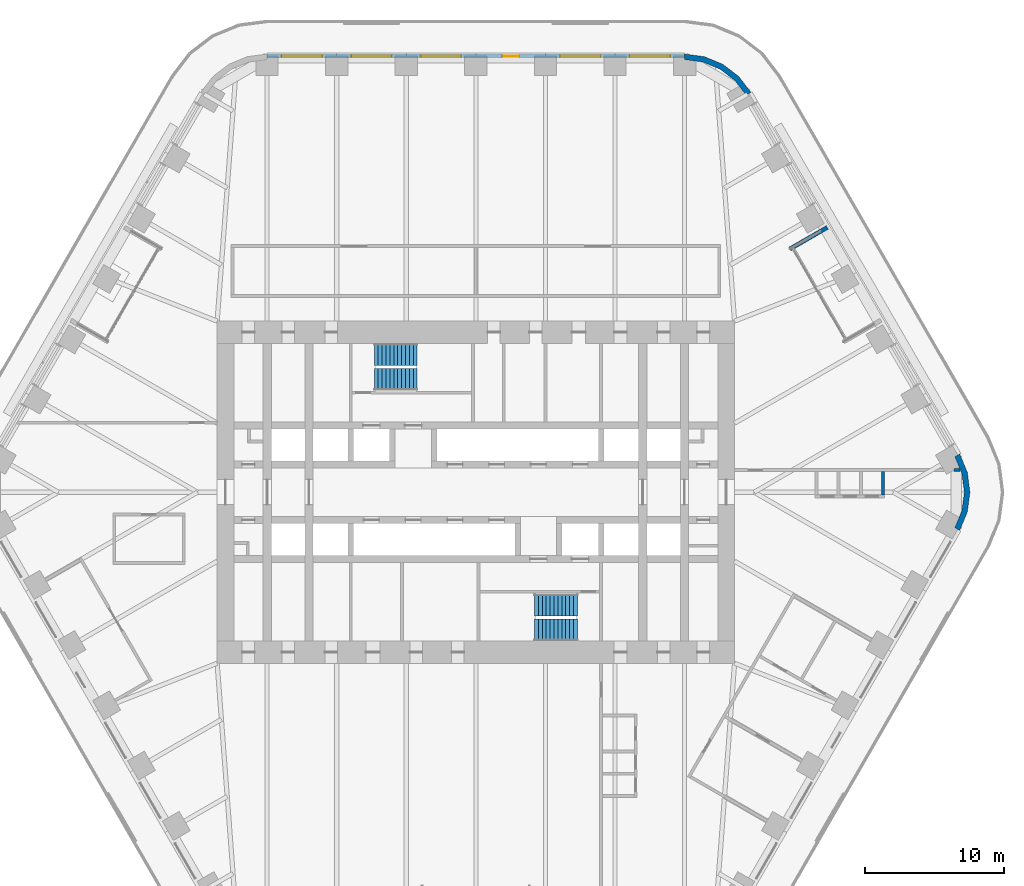
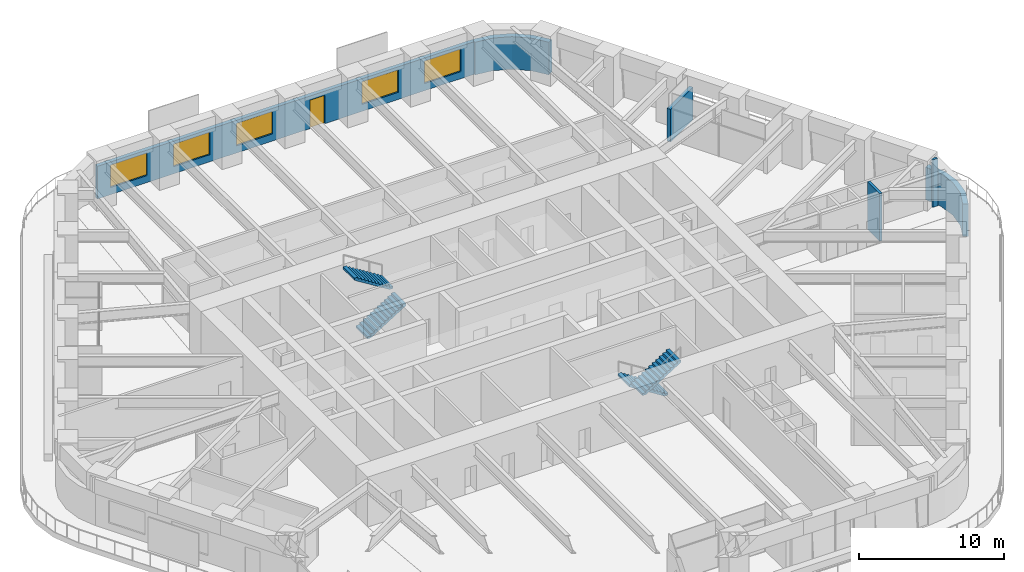
# One storey, part 21 of 24: 6 walls, 5 windows, 4 stair flights, 1 door, 6 openings, 2 elements without a shape of their own.
"""IFC4 building model written with IfcOpenShell, lengths in metres."""

from ifc_helpers import new_model, si_unit, direction, frame, frame_2d, origin, place, context, subcontext, project, spatial, polyline, rectangle, outline, extrude, material, layer, layer_set, type_object, element, fill, aggregate, save


model = new_model("IFC4")

# Units and contexts
model_context = context("Model", 3, precision=1e-05, world=origin(), true_north=direction((0.0, 1.0)))
body_context = subcontext(model_context, "Body", "Model", "MODEL_VIEW")
ifc_project = project(units=[si_unit("LENGTHUNIT", "METRE"), si_unit("AREAUNIT", "SQUARE_METRE"), si_unit("VOLUMEUNIT", "CUBIC_METRE"), si_unit("PLANEANGLEUNIT", "RADIAN"), si_unit("MASSUNIT", "GRAM", prefix="KILO")], contexts=[model_context])

# Site, building, storey
site_placement = place(None, origin())
site = spatial("IfcSite", under=ifc_project, at=site_placement, CompositionType="ELEMENT")
building_placement = place(site_placement, origin())
building = spatial("IfcBuilding", under=site, at=building_placement, Name="Tarfa Lantern Tower", CompositionType="ELEMENT")
storey_placement = place(building_placement, frame((0.0, 0.0, 169.89990234375)))
storey = spatial("IfcBuildingStorey", under=building, at=storey_placement, Name="L38", CompositionType="ELEMENT", Elevation=169.89990234375)

# Wall
ifc_material_1 = material(Name="Limestone cladding on blockwork", Category="masonry")
ifc_layer_1 = layer(ifc_material_1, 0.300048828125)
ifc_layer_set_1 = layer_set([ifc_layer_1], Name="EW1 STONE-CLAD WALL 300")
wall_type_1 = type_object("IfcWallType", Name="EW1 STONE-CLAD WALL 300", PredefinedType="SOLIDWALL", material=ifc_layer_set_1)
wall_1_placement = place(storey_placement, frame((25.266357421875, 19.037353515625, 0.0), z_axis=(0.0, 0.0, 1.0), x_axis=(-0.86600983753, -0.500026960575, 0.0)))
element("IfcWall", 1, at=wall_1_placement, inside=storey, type_object=wall_type_1, Name="Loggia return NE 2", PredefinedType="SOLIDWALL", context=body_context, shape_type="SweptSolid", body=[
    extrude(rectangle(XDim=3.099853515625, YDim=0.300048828125, at=frame_2d((1.5498046875, 0.0))), origin(), (0.0, 0.0, 1.0), 2.75),
])

# Wall, openings, door, windows
wall_2_placement = place(storey_placement, frame((15.010986328125, 31.35009765625, 0.0), z_axis=(0.0, 0.0, 1.0), x_axis=(-1.0, 0.0, 0.0)))
wall_2 = element("IfcWall", 2, at=wall_2_placement, inside=storey, type_object=wall_type_1, Name="Stone wall N", PredefinedType="SOLIDWALL", context=body_context, shape_type="SweptSolid", body=[
    extrude(rectangle(XDim=30.02197265625, YDim=0.300048828125, at=frame_2d((15.010986328125, 0.0))), origin(), (0.0, 0.0, 1.0), 2.75),
])
opening_1_placement = place(wall_2_placement, frame((1.0517578125, 0.0, 0.60009765625)))
opening_1 = element("IfcOpeningElement", 3, at=opening_1_placement, cuts=wall_2, Name="Opening W9", PredefinedType="OPENING", context=body_context, shape_type="SweptSolid", body=[
    extrude(rectangle(XDim=2.89990234375, YDim=1.89990234375, at=frame_2d((1.449951171875, 0.949951171875))), frame((0.0, 0.159912109375, 0.0), z_axis=(0.0, -1.0, 0.0), x_axis=(1.0, 0.0, 0.0)), (0.0, 0.0, 1.0), 0.320068359375),
])
opening_2_placement = place(wall_2_placement, frame((6.0556640625, 0.0, 0.60009765625)))
opening_2 = element("IfcOpeningElement", 4, at=opening_2_placement, cuts=wall_2, Name="Opening W9", PredefinedType="OPENING", context=body_context, shape_type="SweptSolid", body=[
    extrude(rectangle(XDim=2.89990234375, YDim=1.89990234375, at=frame_2d((1.449951171875, 0.949951171875))), frame((0.0, 0.159912109375, 0.0), z_axis=(0.0, -1.0, 0.0), x_axis=(1.0, 0.0, 0.0)), (0.0, 0.0, 1.0), 0.320068359375),
])
opening_3_placement = place(wall_2_placement, frame((11.9091796875, 0.0, 0.0)))
opening_3 = element("IfcOpeningElement", 5, at=opening_3_placement, cuts=wall_2, Name="Opening D50", PredefinedType="OPENING", context=body_context, shape_type="SweptSolid", body=[
    extrude(rectangle(XDim=1.199951171875, YDim=2.39990234375, at=frame_2d((0.60009765625, 1.199951171875))), frame((0.0, 0.159912109375, 0.0), z_axis=(0.0, -1.0, 0.0), x_axis=(1.0, 0.0, 0.0)), (0.0, 0.0, 1.0), 0.320068359375),
])
opening_4_placement = place(wall_2_placement, frame((16.06298828125, 0.0, 0.60009765625)))
opening_4 = element("IfcOpeningElement", 6, at=opening_4_placement, cuts=wall_2, Name="Opening W9", PredefinedType="OPENING", context=body_context, shape_type="SweptSolid", body=[
    extrude(rectangle(XDim=2.89990234375, YDim=1.89990234375, at=frame_2d((1.449951171875, 0.949951171875))), frame((0.0, 0.159912109375, 0.0), z_axis=(0.0, -1.0, 0.0), x_axis=(1.0, 0.0, 0.0)), (0.0, 0.0, 1.0), 0.320068359375),
])
opening_5_placement = place(wall_2_placement, frame((21.066650390625, 0.0, 0.60009765625)))
opening_5 = element("IfcOpeningElement", 7, at=opening_5_placement, cuts=wall_2, Name="Opening W9", PredefinedType="OPENING", context=body_context, shape_type="SweptSolid", body=[
    extrude(rectangle(XDim=2.89990234375, YDim=1.89990234375, at=frame_2d((1.449951171875, 0.949951171875))), frame((0.0, 0.159912109375, 0.0), z_axis=(0.0, -1.0, 0.0), x_axis=(1.0, 0.0, 0.0)), (0.0, 0.0, 1.0), 0.320068359375),
])
opening_6_placement = place(wall_2_placement, frame((26.0703125, 0.0, 0.60009765625)))
opening_6 = element("IfcOpeningElement", 8, at=opening_6_placement, cuts=wall_2, Name="Opening W9", PredefinedType="OPENING", context=body_context, shape_type="SweptSolid", body=[
    extrude(rectangle(XDim=2.89990234375, YDim=1.89990234375, at=frame_2d((1.449951171875, 0.949951171875))), frame((0.0, 0.159912109375, 0.0), z_axis=(0.0, -1.0, 0.0), x_axis=(1.0, 0.0, 0.0)), (0.0, 0.0, 1.0), 0.320068359375),
])
ifc_material_2 = material(Name="Aluminium framed glazed door", Category="aluminium")
door_type = type_object("IfcDoorType", Name="BE3 BALCONY DOOR 1200x2400", OperationType="SINGLE_SWING_RIGHT", PredefinedType="DOOR", material=ifc_material_2)
door_placement = place(opening_3_placement, origin())
door = element("IfcDoor", 9, at=door_placement, inside=storey, type_object=door_type, Name="Balcony door N", OperationType="SINGLE_SWING_RIGHT", OverallHeight=2.39990234375, OverallWidth=1.199951171875, PredefinedType="DOOR", context=body_context, shape_type="SweptSolid", body=[
    extrude(rectangle(XDim=1.199951171875, YDim=2.39990234375, at=frame_2d((0.60009765625, 1.199951171875))), frame((0.0, 0.02490234375, 0.0), z_axis=(0.0, -1.0, 0.0), x_axis=(1.0, 0.0, 0.0)), (0.0, 0.0, 1.0), 0.050048828125),
])
fill(opening_3, door)
ifc_material_3 = material(Name="Aluminium frame, double glazed", Category="aluminium")
window_type = type_object("IfcWindowType", Name="W9 FULL-HEIGHT GLAZING 2900x1900", PartitioningType="SINGLE_PANEL", PredefinedType="WINDOW", material=ifc_material_3)
window_1_placement = place(opening_1_placement, origin())
window_1 = element("IfcWindow", 10, at=window_1_placement, inside=storey, type_object=window_type, Name="Window N 1", OverallHeight=1.89990234375, OverallWidth=2.89990234375, PartitioningType="SINGLE_PANEL", PredefinedType="WINDOW", context=body_context, shape_type="SweptSolid", body=[
    extrude(rectangle(XDim=2.89990234375, YDim=1.89990234375, at=frame_2d((1.449951171875, 0.949951171875))), frame((0.0, 0.030029296875, 0.0), z_axis=(0.0, -1.0, 0.0), x_axis=(1.0, 0.0, 0.0)), (0.0, 0.0, 1.0), 0.06005859375),
])
fill(opening_1, window_1)
window_2_placement = place(opening_2_placement, origin())
window_2 = element("IfcWindow", 11, at=window_2_placement, inside=storey, type_object=window_type, Name="Window N 2", OverallHeight=1.89990234375, OverallWidth=2.89990234375, PartitioningType="SINGLE_PANEL", PredefinedType="WINDOW", context=body_context, shape_type="SweptSolid", body=[
    extrude(rectangle(XDim=2.89990234375, YDim=1.89990234375, at=frame_2d((1.449951171875, 0.949951171875))), frame((0.0, 0.030029296875, 0.0), z_axis=(0.0, -1.0, 0.0), x_axis=(1.0, 0.0, 0.0)), (0.0, 0.0, 1.0), 0.06005859375),
])
fill(opening_2, window_2)
window_3_placement = place(opening_4_placement, origin())
window_3 = element("IfcWindow", 12, at=window_3_placement, inside=storey, type_object=window_type, Name="Window N 4", OverallHeight=1.89990234375, OverallWidth=2.89990234375, PartitioningType="SINGLE_PANEL", PredefinedType="WINDOW", context=body_context, shape_type="SweptSolid", body=[
    extrude(rectangle(XDim=2.89990234375, YDim=1.89990234375, at=frame_2d((1.449951171875, 0.949951171875))), frame((0.0, 0.030029296875, 0.0), z_axis=(0.0, -1.0, 0.0), x_axis=(1.0, 0.0, 0.0)), (0.0, 0.0, 1.0), 0.06005859375),
])
fill(opening_4, window_3)
window_4_placement = place(opening_5_placement, origin())
window_4 = element("IfcWindow", 13, at=window_4_placement, inside=storey, type_object=window_type, Name="Window N 5", OverallHeight=1.89990234375, OverallWidth=2.89990234375, PartitioningType="SINGLE_PANEL", PredefinedType="WINDOW", context=body_context, shape_type="SweptSolid", body=[
    extrude(rectangle(XDim=2.89990234375, YDim=1.89990234375, at=frame_2d((1.449951171875, 0.949951171875))), frame((0.0, 0.030029296875, 0.0), z_axis=(0.0, -1.0, 0.0), x_axis=(1.0, 0.0, 0.0)), (0.0, 0.0, 1.0), 0.06005859375),
])
fill(opening_5, window_4)
window_5_placement = place(opening_6_placement, origin())
window_5 = element("IfcWindow", 14, at=window_5_placement, inside=storey, type_object=window_type, Name="Window N 6", OverallHeight=1.89990234375, OverallWidth=2.89990234375, PartitioningType="SINGLE_PANEL", PredefinedType="WINDOW", context=body_context, shape_type="SweptSolid", body=[
    extrude(rectangle(XDim=2.89990234375, YDim=1.89990234375, at=frame_2d((1.449951171875, 0.949951171875))), frame((0.0, 0.030029296875, 0.0), z_axis=(0.0, -1.0, 0.0), x_axis=(1.0, 0.0, 0.0)), (0.0, 0.0, 1.0), 0.06005859375),
])
fill(opening_6, window_5)

# Walls
ifc_layer_2 = layer(ifc_material_1, 0.39990234375)
ifc_layer_set_2 = layer_set([ifc_layer_2], Name="EW2 CURVED STONE CORNER 400")
wall_type_2 = type_object("IfcWallType", Name="EW2 CURVED STONE CORNER 400", PredefinedType="SOLIDWALL", material=ifc_layer_set_2)
wall_3_placement = place(storey_placement, origin())
element("IfcWall", 15, at=wall_3_placement, inside=storey, type_object=wall_type_2, Name="Stone corner NE-N", PredefinedType="SOLIDWALL", context=body_context, shape_type="SweptSolid", body=[
    extrude(outline(polyline([(19.774169921875, 28.75), (18.900146484375, 29.88916015625), (17.760986328125, 30.76318359375), (16.4345703125, 31.3125), (15.010986328125, 31.5), (15.010986328125, 31.10009765625), (16.3310546875, 30.92626953125), (17.56103515625, 30.416748046875), (18.617431640625, 29.606201171875), (19.427734375, 28.550048828125), (19.774169921875, 28.75)])), origin(), (0.0, 0.0, 1.0), 2.75),
])
wall_4_placement = place(storey_placement, origin())
element("IfcWall", 16, at=wall_4_placement, inside=storey, type_object=wall_type_2, Name="Stone corner SE-NE", PredefinedType="SOLIDWALL", context=body_context, shape_type="SweptSolid", body=[
    extrude(outline(polyline([(34.785400390625, -2.75), (35.334716796875, -1.423583984375), (35.522216796875, 0.0), (35.334716796875, 1.423583984375), (34.785400390625, 2.75), (34.43896484375, 2.550048828125), (34.948486328125, 1.320068359375), (35.122314453125, 0.0), (34.948486328125, -1.320068359375), (34.43896484375, -2.550048828125), (34.785400390625, -2.75)])), origin(), (0.0, 0.0, 1.0), 2.75),
])
ifc_material_4 = material(Name="Gypsum board on steel studs", Category="steel")
ifc_layer_3 = layer(ifc_material_4, 0.2099609375)
ifc_layer_set_3 = layer_set([ifc_layer_3], Name="IW2 ACOUSTIC PARTITION 200")
wall_type_3 = type_object("IfcWallType", Name="IW2 ACOUSTIC PARTITION 200", PredefinedType="PARTITIONING", material=ifc_layer_set_3)
wall_5_placement = place(storey_placement, frame((34.3935546875, 1.60009765625, 0.0), z_axis=(0.0, 0.0, 1.0), x_axis=(1.0, 0.0, 0.0)))
element("IfcWall", 17, at=wall_5_placement, inside=storey, type_object=wall_type_3, Name="Partition", PredefinedType="PARTITIONING", context=body_context, shape_type="SweptSolid", body=[
    extrude(rectangle(XDim=0.397705078125, YDim=0.199951171875, at=frame_2d((0.19873046875, 0.0))), origin(), (0.0, 0.0, 1.0), 4.0),
])
wall_6_placement = place(storey_placement, frame((29.28271484375, 1.5, 0.0), z_axis=(0.0, 0.0, 1.0), x_axis=(0.0, -1.0, 0.0)))
element("IfcWall", 18, at=wall_6_placement, inside=storey, type_object=wall_type_3, Name="Partition", PredefinedType="PARTITIONING", context=body_context, shape_type="SweptSolid", body=[
    extrude(rectangle(XDim=1.699951171875, YDim=0.199951171875, at=frame_2d((0.85009765625, 0.0))), origin(), (0.0, 0.0, 1.0), 4.0),
])

# Stair, stair flights
ifc_material_5 = material(Name="Concrete C40/50", Category="concrete")
stair_type = type_object("IfcStairType", Name="ST-T10 HALF-TURN STAIR 4200 RISE", PredefinedType="HALF_TURN_STAIR", material=ifc_material_5)
stair_1_placement = place(storey_placement, origin())
stair_1 = element("IfcStair", 19, at=stair_1_placement, inside=storey, type_object=stair_type, Name="Stair ST1", PredefinedType="HALF_TURN_STAIR")
stair_flight_type = type_object("IfcStairFlightType", Name="SF1 STAIR FLIGHT", PredefinedType="STRAIGHT", material=ifc_material_5)
stair_flight_1_placement = place(storey_placement, frame((-7.300048828125, 8.10009765625, 0.0), z_axis=(0.0, 0.0, 1.0), x_axis=(1.0, 0.0, 0.0)))
stair_flight_1 = element("IfcStairFlight", 20, at=stair_flight_1_placement, type_object=stair_flight_type, Name="ST1 flight 1", NumberOfRisers=12, NumberOfTreads=11, PredefinedType="STRAIGHT", RiserHeight=0.175, TreadLength=0.28, context=body_context, shape_type="SweptSolid", body=[
    extrude(outline(polyline([(0.0, 0.0), (0.0, 0.175048828125), (0.280029296875, 0.175048828125), (0.280029296875, 0.35009765625), (0.56005859375, 0.35009765625), (0.56005859375, 0.52490234375), (0.840087890625, 0.52490234375), (0.840087890625, 0.699951171875), (1.1201171875, 0.699951171875), (1.1201171875, 0.875), (1.39990234375, 0.875), (1.39990234375, 1.050048828125), (1.679931640625, 1.050048828125), (1.679931640625, 1.22509765625), (1.9599609375, 1.22509765625), (1.9599609375, 1.39990234375), (2.239990234375, 1.39990234375), (2.239990234375, 1.574951171875), (2.52001953125, 1.574951171875), (2.52001953125, 1.75), (2.800048828125, 1.75), (2.800048828125, 1.925048828125), (3.080078125, 1.925048828125), (3.080078125, 2.10009765625), (3.080078125, 1.748291015625), (0.28271484375, 0.0), (0.0, 0.0)])), frame((0.0, 0.800048828125, 0.0), z_axis=(0.0, -1.0, 0.0), x_axis=(1.0, 0.0, 0.0)), (0.0, 0.0, 1.0), 1.60009765625),
])
stair_flight_2_placement = place(storey_placement, frame((-4.219970703125, 9.89990234375, 2.10009765625), z_axis=(0.0, 0.0, 1.0), x_axis=(-1.0, 0.0, 0.0)))
stair_flight_2 = element("IfcStairFlight", 21, at=stair_flight_2_placement, type_object=stair_flight_type, Name="ST1 flight 2", NumberOfRisers=12, NumberOfTreads=11, PredefinedType="STRAIGHT", RiserHeight=0.175, TreadLength=0.28, context=body_context, shape_type="SweptSolid", body=[
    extrude(outline(polyline([(0.0, 0.0), (0.0, 0.175048828125), (0.280029296875, 0.175048828125), (0.280029296875, 0.35009765625), (0.56005859375, 0.35009765625), (0.56005859375, 0.52490234375), (0.840087890625, 0.52490234375), (0.840087890625, 0.699951171875), (1.1201171875, 0.699951171875), (1.1201171875, 0.875), (1.39990234375, 0.875), (1.39990234375, 1.050048828125), (1.679931640625, 1.050048828125), (1.679931640625, 1.22509765625), (1.9599609375, 1.22509765625), (1.9599609375, 1.39990234375), (2.239990234375, 1.39990234375), (2.239990234375, 1.574951171875), (2.52001953125, 1.574951171875), (2.52001953125, 1.75), (2.800048828125, 1.75), (2.800048828125, 1.925048828125), (3.080078125, 1.925048828125), (3.080078125, 2.10009765625), (3.080078125, 1.748291015625), (0.28271484375, 0.0), (0.0, 0.0)])), frame((0.0, 0.800048828125, 0.0), z_axis=(0.0, -1.0, 0.0), x_axis=(1.0, 0.0, 0.0)), (0.0, 0.0, 1.0), 1.60009765625),
])
aggregate(stair_1, [stair_flight_1, stair_flight_2])

stair_2_placement = place(storey_placement, origin())
stair_2 = element("IfcStair", 22, at=stair_2_placement, inside=storey, type_object=stair_type, Name="Stair ST2", PredefinedType="HALF_TURN_STAIR")
stair_flight_3_placement = place(storey_placement, frame((7.300048828125, -8.10009765625, 0.0), z_axis=(0.0, 0.0, 1.0), x_axis=(-1.0, 0.0, 0.0)))
stair_flight_3 = element("IfcStairFlight", 23, at=stair_flight_3_placement, type_object=stair_flight_type, Name="ST2 flight 1", NumberOfRisers=12, NumberOfTreads=11, PredefinedType="STRAIGHT", RiserHeight=0.175, TreadLength=0.28, context=body_context, shape_type="SweptSolid", body=[
    extrude(outline(polyline([(0.0, 0.0), (0.0, 0.175048828125), (0.280029296875, 0.175048828125), (0.280029296875, 0.35009765625), (0.56005859375, 0.35009765625), (0.56005859375, 0.52490234375), (0.840087890625, 0.52490234375), (0.840087890625, 0.699951171875), (1.1201171875, 0.699951171875), (1.1201171875, 0.875), (1.39990234375, 0.875), (1.39990234375, 1.050048828125), (1.679931640625, 1.050048828125), (1.679931640625, 1.22509765625), (1.9599609375, 1.22509765625), (1.9599609375, 1.39990234375), (2.239990234375, 1.39990234375), (2.239990234375, 1.574951171875), (2.52001953125, 1.574951171875), (2.52001953125, 1.75), (2.800048828125, 1.75), (2.800048828125, 1.925048828125), (3.080078125, 1.925048828125), (3.080078125, 2.10009765625), (3.080078125, 1.748291015625), (0.28271484375, 0.0), (0.0, 0.0)])), frame((0.0, 0.800048828125, 0.0), z_axis=(0.0, -1.0, 0.0), x_axis=(1.0, 0.0, 0.0)), (0.0, 0.0, 1.0), 1.60009765625),
])
stair_flight_4_placement = place(storey_placement, frame((4.219970703125, -9.89990234375, 2.10009765625), z_axis=(0.0, 0.0, 1.0), x_axis=(1.0, 0.0, 0.0)))
stair_flight_4 = element("IfcStairFlight", 24, at=stair_flight_4_placement, type_object=stair_flight_type, Name="ST2 flight 2", NumberOfRisers=12, NumberOfTreads=11, PredefinedType="STRAIGHT", RiserHeight=0.175, TreadLength=0.28, context=body_context, shape_type="SweptSolid", body=[
    extrude(outline(polyline([(0.0, 0.0), (0.0, 0.175048828125), (0.280029296875, 0.175048828125), (0.280029296875, 0.35009765625), (0.56005859375, 0.35009765625), (0.56005859375, 0.52490234375), (0.840087890625, 0.52490234375), (0.840087890625, 0.699951171875), (1.1201171875, 0.699951171875), (1.1201171875, 0.875), (1.39990234375, 0.875), (1.39990234375, 1.050048828125), (1.679931640625, 1.050048828125), (1.679931640625, 1.22509765625), (1.9599609375, 1.22509765625), (1.9599609375, 1.39990234375), (2.239990234375, 1.39990234375), (2.239990234375, 1.574951171875), (2.52001953125, 1.574951171875), (2.52001953125, 1.75), (2.800048828125, 1.75), (2.800048828125, 1.925048828125), (3.080078125, 1.925048828125), (3.080078125, 2.10009765625), (3.080078125, 1.748291015625), (0.28271484375, 0.0), (0.0, 0.0)])), frame((0.0, 0.800048828125, 0.0), z_axis=(0.0, -1.0, 0.0), x_axis=(1.0, 0.0, 0.0)), (0.0, 0.0, 1.0), 1.60009765625),
])
aggregate(stair_2, [stair_flight_3, stair_flight_4])

save(model, "model.ifc")
